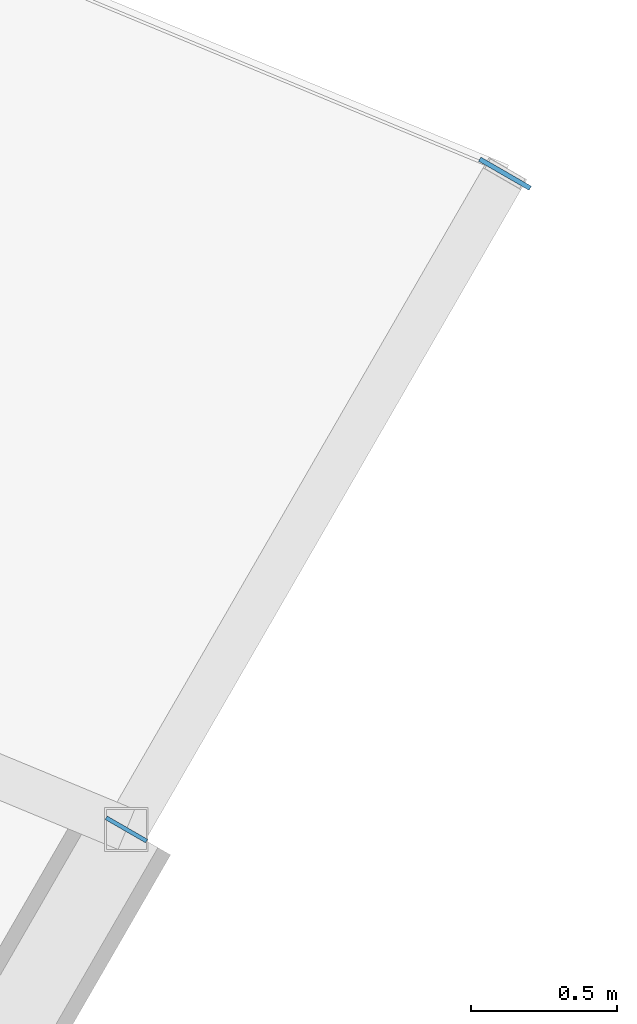
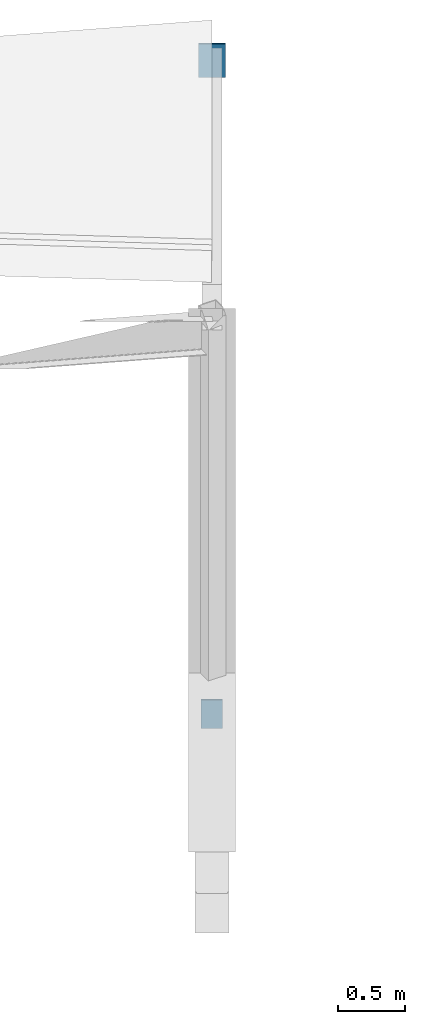
# One storey, part 51 of 70: 2 plates.
"""IFC4 building model written with IfcOpenShell, lengths in metres."""

from ifc_helpers import new_model, si_unit, direction, frame, origin, origin_2d, place, context, subcontext, project, spatial, rectangle, extrude, material, layer, layer_set, type_object, element, save


model = new_model("IFC4")

# Units and contexts
model_context = context("Model", 3, precision=1e-05, world=origin(), true_north=direction((0.0, 1.0)))
body_context = subcontext(model_context, "Body", "Model", "MODEL_VIEW")
ifc_project = project(units=[si_unit("LENGTHUNIT", "METRE"), si_unit("AREAUNIT", "SQUARE_METRE"), si_unit("VOLUMEUNIT", "CUBIC_METRE"), si_unit("PLANEANGLEUNIT", "RADIAN"), si_unit("MASSUNIT", "GRAM", prefix="KILO")], contexts=[model_context])

# Site, building, storey
site_placement = place(None, origin())
site = spatial("IfcSite", under=ifc_project, at=site_placement, CompositionType="ELEMENT")
building_placement = place(site_placement, origin())
building = spatial("IfcBuilding", under=site, at=building_placement, Name="Vondelvale Polytechnic", CompositionType="ELEMENT")
storey_placement = place(building_placement, frame((0.0, 0.0, 22.199951171875)))
storey = spatial("IfcBuildingStorey", under=building, at=storey_placement, Name="L05", CompositionType="ELEMENT", Elevation=22.199951171875)

# Plates
ifc_material = material(Name="Steel Grade 350 (fy = 340 MPa)", Category="steel")
ifc_layer_1 = layer(ifc_material, 0.01611328125)
ifc_layer_set_1 = layer_set([ifc_layer_1], Name="PLATE-CAP-300x200")
plate_type_1 = type_object("IfcPlateType", Name="PLATE-CAP-300x200", PredefinedType="USERDEFINED", material=ifc_layer_set_1)
plate_1_placement = place(storey_placement, frame((126.300048828125, 114.0888671875, 3.61572265625), z_axis=(0.0, 0.0, 1.0), x_axis=(-0.5, -0.866025403784, 0.0)))
element("IfcPlate", 1, at=plate_1_placement, inside=storey, type_object=plate_type_1, Name="Ring rafter hollow end cap plate 04O", ObjectType="CAP_PLATE", PredefinedType="USERDEFINED", context=body_context, shape_type="SweptSolid", body=[
    extrude(rectangle(XDim=0.01611328125, YDim=0.199951171875, at=origin_2d()), origin(), (0.0, 0.0, 1.0), 0.300048828125),
])
ifc_layer_2 = layer(ifc_material, 0.013916015625)
ifc_layer_set_2 = layer_set([ifc_layer_2], Name="PLATE-CAP-C03")
plate_type_2 = type_object("IfcPlateType", Name="PLATE-CAP-C03", PredefinedType="USERDEFINED", material=ifc_layer_set_2)
plate_2_placement = place(storey_placement, frame((125.0, 111.837158203125, -0.47998046875), z_axis=(0.0, 0.0, 1.0), x_axis=(-0.5, -0.866025403784, 0.0)))
element("IfcPlate", 2, at=plate_2_placement, inside=storey, type_object=plate_type_2, Name="Ring workshop truss chord end cap 04O", ObjectType="CAP_PLATE", PredefinedType="USERDEFINED", context=body_context, shape_type="SweptSolid", body=[
    extrude(rectangle(XDim=0.013916015625, YDim=0.159912109375, at=origin_2d()), origin(), (0.0, 0.0, 1.0), 0.260009765625),
])

save(model, "model.ifc")
